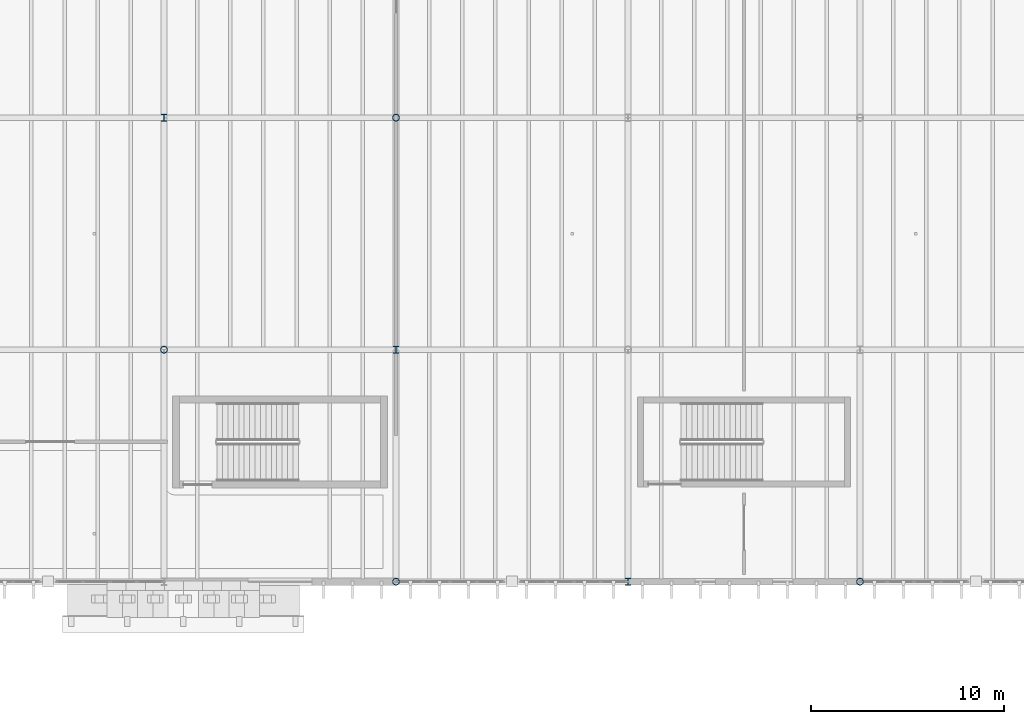
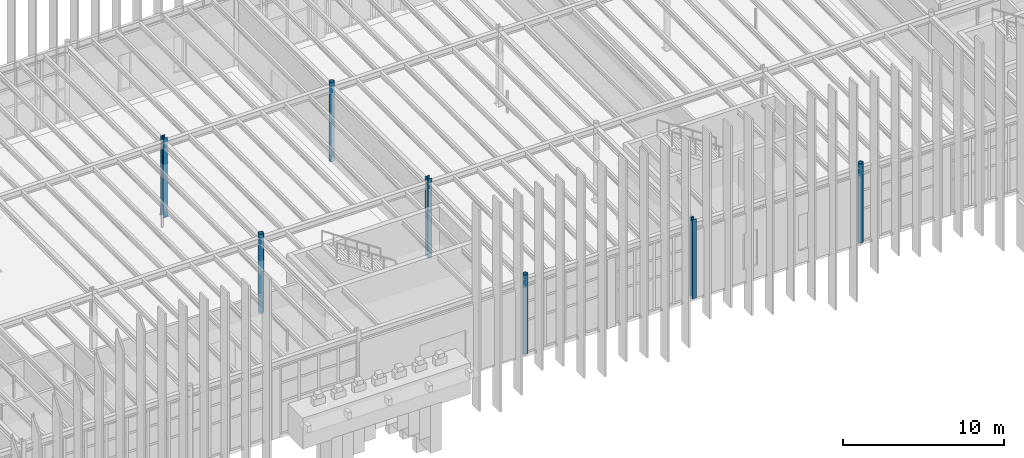
# One storey, part 7 of 83: 7 columns.
"""IFC4 building model written with IfcOpenShell, lengths in metres."""

import ifcopenshell
import ifcopenshell.guid

model = None  # the IFC model being written
_history = None  # IfcOwnerHistory: only IFC2X3 demands one
_inside = {}  # id of a spatial element -> (the spatial element, [elements in it])
_under = {}  # id of a project, library or spatial element -> (it, [spatial elements below it])
_declared = {}  # id of a project -> (the project, [libraries it declares])
_typed = {}  # id of a type object -> (the type object, [elements of that type])
_made_of = {}  # id of a material, layer set ... -> (it, [elements and type objects made of it])


def new_model(schema):
    """Start an empty IFC model of exactly this schema.

    Asked for "IFC4X3", IfcOpenShell would pick the latest addendum, in which some entities
    have other attributes; the version numbers below select the first issue.
    IFC2X3 requires an IfcOwnerHistory on every rooted entity: one is made here for all.
    """
    global model, _history
    if schema == "IFC4X3":
        model = ifcopenshell.file(schema_version=(4, 3, 0, 0))
    else:
        model = ifcopenshell.file(schema=schema)
    _inside.clear()
    _under.clear()
    _declared.clear()
    _typed.clear()
    _made_of.clear()
    _history = None
    if model.schema == "IFC2X3":
        org = make("IfcOrganization", Name="unknown")
        user = make(
            "IfcPersonAndOrganization",
            ThePerson=make("IfcPerson", FamilyName="unknown"),
            TheOrganization=org,
        )
        app = make(
            "IfcApplication",
            ApplicationDeveloper=org,
            Version="unknown",
            ApplicationFullName="unknown",
            ApplicationIdentifier="unknown",
        )
        _history = make(
            "IfcOwnerHistory",
            OwningUser=user,
            OwningApplication=app,
            ChangeAction="ADDED",
            CreationDate=0,
        )
    return model


def make(cls, **values):
    """One entity of the class cls with the attributes given. An attribute that is None is left unset."""
    return model.create_entity(
        cls, **{name: value for name, value in values.items() if value is not None}
    )


def rooted(cls, **values):
    """An entity with a GlobalId (a new one), such as an element, a storey or a relation."""
    return make(cls, GlobalId=ifcopenshell.guid.new(), OwnerHistory=_history, **values)


def si_unit(unit_type, name, prefix=None):
    """IfcSIUnit, for example si_unit("LENGTHUNIT", "METRE", prefix="MILLI")."""
    return make("IfcSIUnit", UnitType=unit_type, Prefix=prefix, Name=name)


def assignment(units):
    """IfcUnitAssignment: the units of a project."""
    return None if units is None else make("IfcUnitAssignment", Units=units)


def point(xyz):
    """IfcCartesianPoint."""
    return None if xyz is None else make("IfcCartesianPoint", Coordinates=xyz)


def direction(xyz):
    """IfcDirection."""
    return None if xyz is None else make("IfcDirection", DirectionRatios=xyz)


def frame(location, z_axis=None, x_axis=None):
    """IfcAxis2Placement3D, a coordinate frame: its origin and axes. An axis left out is left unset."""
    return make(
        "IfcAxis2Placement3D",
        Location=point(location),
        Axis=direction(z_axis),
        RefDirection=direction(x_axis),
    )


def frame_2d(location, x_axis=None):
    """IfcAxis2Placement2D, a coordinate frame in the plane: its origin and x axis."""
    return make(
        "IfcAxis2Placement2D", Location=point(location), RefDirection=direction(x_axis)
    )


def origin():
    """The frame at (0, 0, 0) with its axes left unset."""
    return frame((0.0, 0.0, 0.0))


def origin_2d():
    """The frame at (0, 0) in the plane with its x axis left unset."""
    return frame_2d((0.0, 0.0))


def place(relative_to, where):
    """IfcLocalPlacement: puts the frame where relative to a parent placement (None: the world)."""
    return make(
        "IfcLocalPlacement", PlacementRelTo=relative_to, RelativePlacement=where
    )


def context(
    kind, dimensions, precision=None, world=None, true_north=None, identifier=None
):
    """IfcGeometricRepresentationContext, for example the 3D "Model" context."""
    return make(
        "IfcGeometricRepresentationContext",
        ContextIdentifier=identifier,
        ContextType=kind,
        CoordinateSpaceDimension=dimensions,
        Precision=precision,
        WorldCoordinateSystem=world,
        TrueNorth=true_north,
    )


def subcontext(parent, identifier, kind, view, scale=None):
    """IfcGeometricRepresentationSubContext, for example "Body" below "Model"."""
    return make(
        "IfcGeometricRepresentationSubContext",
        ContextIdentifier=identifier,
        ContextType=kind,
        ParentContext=parent,
        TargetScale=scale,
        TargetView=view,
    )


def project(units=None, contexts=None):
    """IfcProject with its units and contexts."""
    return rooted(
        "IfcProject",
        Name="project",
        RepresentationContexts=contexts,
        UnitsInContext=assignment(units),
    )


def spatial(cls, under=None, at=None, **own):
    """A site, building, storey or space (cls), placed at a placement, below another one or the project."""
    s = rooted(cls, ObjectPlacement=at, **own)
    if under is not None:
        _under.setdefault(under.id(), (under, []))[1].append(s)
    return s


def profile(cls, at=None, kind="AREA", **sizes):
    """A parametric profile (cls). Its sizes go by their IFC names, for example OverallWidth=200.0."""
    return make(cls, ProfileType=kind, Position=at, **sizes)


def hollow_circle(**sizes):
    """IfcCircleHollowProfileDef."""
    return profile("IfcCircleHollowProfileDef", **sizes)


def i_section(**sizes):
    """IfcIShapeProfileDef."""
    return profile("IfcIShapeProfileDef", **sizes)


def extrude(swept, where, along, depth):
    """IfcExtrudedAreaSolid: the profile swept, set in the frame where, extruded along a direction by depth."""
    return make(
        "IfcExtrudedAreaSolid",
        SweptArea=swept,
        Position=where,
        ExtrudedDirection=direction(along),
        Depth=depth,
    )


def shape(context_of_items, identifier, shape_type, items):
    """IfcShapeRepresentation: the items that make up one representation, for example the "Body"."""
    return make(
        "IfcShapeRepresentation",
        ContextOfItems=context_of_items,
        RepresentationIdentifier=identifier,
        RepresentationType=shape_type,
        Items=items,
    )


def material(Name=None, Category=None):
    """IfcMaterial."""
    return make("IfcMaterial", Name=Name, Category=Category)


def material_profile(
    of_material, cross_section, Name=None, Category=None, Priority=None
):
    """IfcMaterialProfile: a cross section and its material."""
    return make(
        "IfcMaterialProfile",
        Name=Name,
        Material=of_material,
        Profile=cross_section,
        Priority=Priority,
        Category=Category,
    )


def profile_set(profiles, Name=None, composite=None):
    """IfcMaterialProfileSet."""
    return make(
        "IfcMaterialProfileSet",
        Name=Name,
        MaterialProfiles=profiles,
        CompositeProfile=composite,
    )


def made_of(thing, what):
    """Note that an element or type object is made of a material, layer set ...; save() writes the relation."""
    if what is not None:
        _made_of.setdefault(what.id(), (what, []))[1].append(thing)
    return thing


def type_object(cls, material=None, **own):
    """A type object (cls), such as IfcWallType, which elements share."""
    return made_of(rooted(cls, **own), material)


def element(
    cls,
    number,
    at=None,
    inside=None,
    cuts=None,
    type_object=None,
    material=None,
    context=None,
    identifier="Body",
    shape_type=None,
    held_by="IfcProductDefinitionShape",
    body=None,
    shapes=None,
    **own,
):
    """One element of the class cls, such as IfcWall. Its Tag is "e" and its number.

    at: its placement. inside: the storey or other place that contains it. cuts: it is an
    opening in that element (IfcRelVoidsElement). A single representation is given by context,
    identifier, shape_type and body (its items); several are given by shapes. held_by: the class
    of the entity that holds the representations. save() writes the other relations.
    """
    e = rooted(cls, Tag="e%d" % number, ObjectPlacement=at, **own)
    if body is not None:
        shapes = [shape(context, identifier, shape_type, body)]
    if shapes is not None:
        e.Representation = make(held_by, Representations=shapes)
    if inside is not None:
        _inside.setdefault(inside.id(), (inside, []))[1].append(e)
    if cuts is not None:
        rooted(
            "IfcRelVoidsElement", RelatingBuildingElement=cuts, RelatedOpeningElement=e
        )
    if type_object is not None:
        _typed.setdefault(type_object.id(), (type_object, []))[1].append(e)
    return made_of(e, material)


def aggregate(whole, parts):
    """IfcRelAggregates: a whole, such as a stair, and the parts it consists of."""
    return rooted("IfcRelAggregates", RelatingObject=whole, RelatedObjects=parts)


def save(model, path):
    """Write the relations noted so far, then the file.

    IfcRelAggregates (storeys below a building ...), IfcRelContainedInSpatialStructure (elements
    in a storey), IfcRelDefinesByType, IfcRelAssociatesMaterial and IfcRelDeclares: one each for
    every whole, place, type object, material and project.
    """
    for whole, parts in _under.values():
        aggregate(whole, parts)
    for where, things in _inside.values():
        rooted(
            "IfcRelContainedInSpatialStructure",
            RelatedElements=things,
            RelatingStructure=where,
        )
    for kind, things in _typed.values():
        rooted("IfcRelDefinesByType", RelatedObjects=things, RelatingType=kind)
    for what, things in _made_of.values():
        rooted("IfcRelAssociatesMaterial", RelatedObjects=things, RelatingMaterial=what)
    for by, libraries in _declared.values():
        rooted("IfcRelDeclares", RelatingContext=by, RelatedDefinitions=libraries)
    model.write(path)


model = new_model("IFC4")

# Units and contexts
model_context = context("Model", 3, precision=1e-05, world=origin(), true_north=direction((0.0, 1.0)))
body_context = subcontext(model_context, "Body", "Model", "MODEL_VIEW")
ifc_project = project(units=[si_unit("LENGTHUNIT", "METRE"), si_unit("AREAUNIT", "SQUARE_METRE"), si_unit("VOLUMEUNIT", "CUBIC_METRE"), si_unit("PLANEANGLEUNIT", "RADIAN"), si_unit("MASSUNIT", "GRAM", prefix="KILO")], contexts=[model_context])

# Site, building, storey
site_placement = place(None, origin())
site = spatial("IfcSite", under=ifc_project, at=site_placement, CompositionType="ELEMENT")
building_placement = place(site_placement, origin())
building = spatial("IfcBuilding", under=site, at=building_placement, Name="Zlatogorsky Bluff Art Gallery", CompositionType="ELEMENT")
storey_placement = place(building_placement, frame((0.0, 0.0, 10.800048828125)))
storey = spatial("IfcBuildingStorey", under=building, at=storey_placement, Name="L02", CompositionType="ELEMENT", Elevation=10.800048828125)

# Columns
ifc_material = material(Name="Steel S355", Category="steel")
ifc_material_profile_1 = material_profile(ifc_material, i_section(OverallWidth=0.300048828125, OverallDepth=0.360107421875, WebThickness=0.012451171875, FlangeThickness=0.0224609375, FilletRadius=0.027099609375, at=origin_2d()), Name="HEB 360")
ifc_profile_set_1 = profile_set([ifc_material_profile_1], Name="Steel S355")
column_type_1 = type_object("IfcColumnType", Name="Column CL-05 HEB 360", PredefinedType="COLUMN", material=ifc_profile_set_1)
for number, where, z_axis, x_axis, name in (
    (1, (72.0, 108.0, 0.0), (0.0, 0.0, 1.0), (1.0, 0.0, 0.0), "Column CL-05 L02 G11"),
    (2, (84.0, 96.0, 0.0), (0.0, 0.0, 1.0), (1.0, 0.0, 0.0), "Column CL-05 L02 H10"),
    (3, (96.0, 84.0, 0.0), (0.0, 0.0, 1.0), (1.0, 0.0, 0.0), "Column CL-05 L02 J9"),
):
    element("IfcColumn", number, at=place(storey_placement, frame(where, z_axis=z_axis, x_axis=x_axis)), inside=storey, type_object=column_type_1, Name=name, PredefinedType="COLUMN", context=body_context, shape_type="SweptSolid", body=[
        extrude(i_section(OverallWidth=0.300048828125, OverallDepth=0.360107421875, WebThickness=0.012451171875, FlangeThickness=0.0224609375, FilletRadius=0.027099609375, at=origin_2d()), origin(), (0.0, 0.0, 1.0), 6.0),
    ])
ifc_material_profile_2 = material_profile(ifc_material, hollow_circle(Radius=0.177734375, WallThickness=0.01611328125, at=origin_2d()), Name="CHS 355.6x16")
ifc_profile_set_2 = profile_set([ifc_material_profile_2], Name="Steel S355")
column_type_2 = type_object("IfcColumnType", Name="Column CL-10 CHS 355.6x16", PredefinedType="COLUMN", material=ifc_profile_set_2)
for number, where, z_axis, x_axis, name in (
    (4, (72.0, 96.0, 0.0), (0.0, 0.0, 1.0), (1.0, 0.0, 0.0), "Column CL-10 L02 G10"),
    (5, (84.0, 84.0, 0.0), (0.0, 0.0, 1.0), (1.0, 0.0, 0.0), "Column CL-10 L02 H9"),
    (6, (84.0, 108.0, 0.0), (0.0, 0.0, 1.0), (1.0, 0.0, 0.0), "Column CL-10 L02 H11"),
    (7, (108.0, 84.0, 0.0), (0.0, 0.0, 1.0), (1.0, 0.0, 0.0), "Column CL-10 L02 K9"),
):
    element("IfcColumn", number, at=place(storey_placement, frame(where, z_axis=z_axis, x_axis=x_axis)), inside=storey, type_object=column_type_2, Name=name, PredefinedType="COLUMN", context=body_context, shape_type="SweptSolid", body=[
        extrude(hollow_circle(Radius=0.177734375, WallThickness=0.01611328125, at=origin_2d()), origin(), (0.0, 0.0, 1.0), 6.0),
    ])

save(model, "model.ifc")
